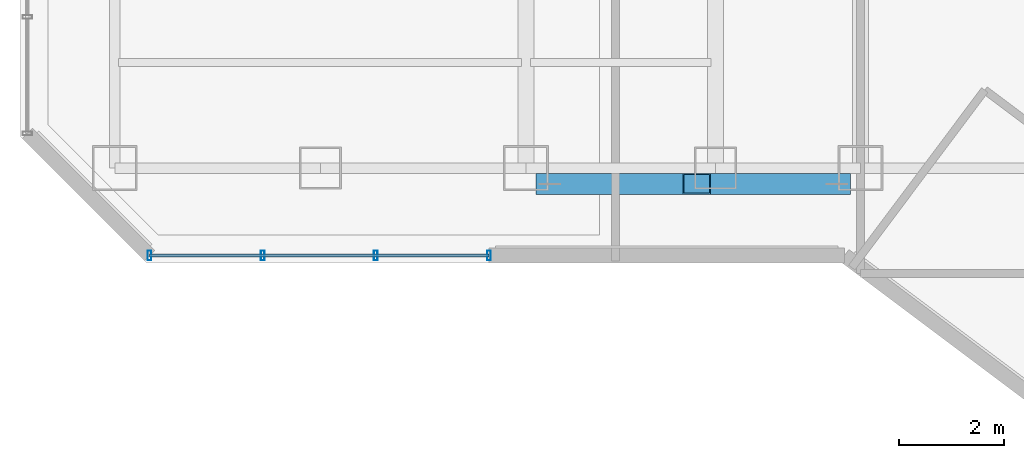
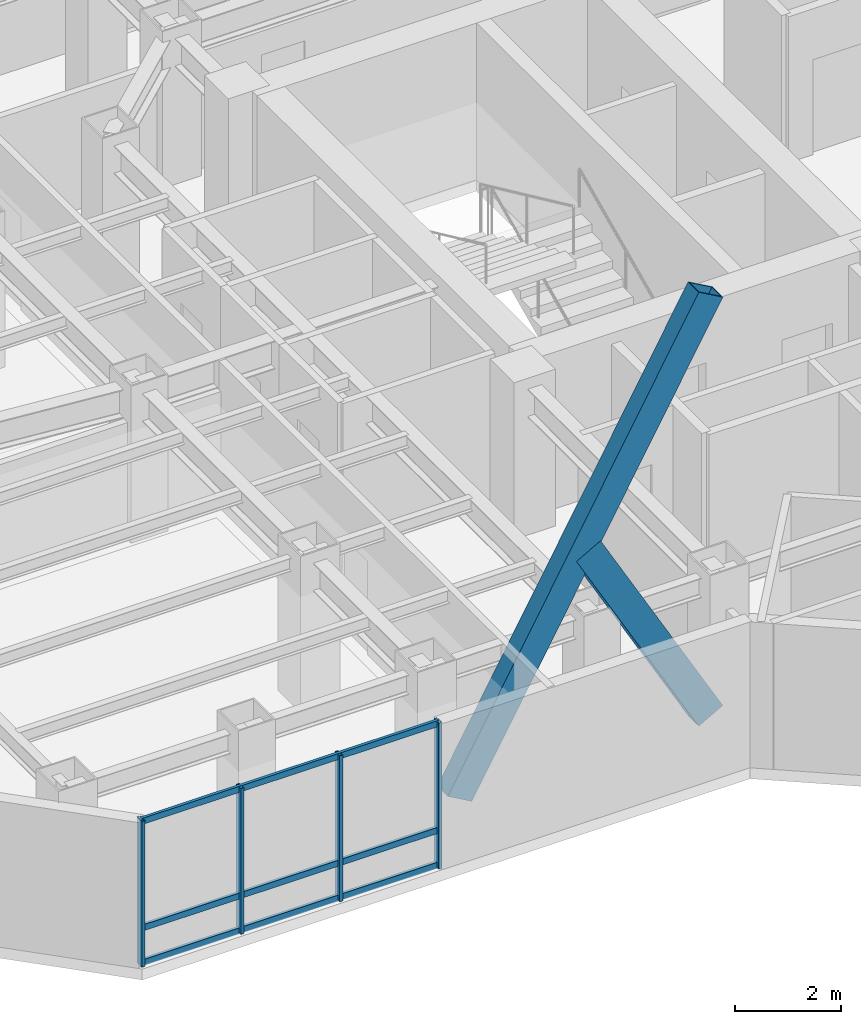
# One storey, part 2 of 27: 9 members, 1 element without a shape of its own.
"""IFC4 building model written with IfcOpenShell, lengths in metres."""

from ifc_helpers import new_model, si_unit, direction, frame, origin, origin_2d, place, context, subcontext, project, spatial, hollow_rectangle, extrude, material, layer, layer_set, material_profile, profile_set, type_object, element, aggregate, save


model = new_model("IFC4")

# Units and contexts
model_context = context("Model", 3, precision=1e-05, world=origin(), true_north=direction((0.0, 1.0)))
body_context = subcontext(model_context, "Body", "Model", "MODEL_VIEW")
ifc_project = project(units=[si_unit("LENGTHUNIT", "METRE"), si_unit("AREAUNIT", "SQUARE_METRE"), si_unit("VOLUMEUNIT", "CUBIC_METRE"), si_unit("PLANEANGLEUNIT", "RADIAN"), si_unit("MASSUNIT", "GRAM", prefix="KILO")], contexts=[model_context])

# Site, building, storey
site_placement = place(None, origin())
site = spatial("IfcSite", under=ifc_project, at=site_placement, CompositionType="ELEMENT")
building_placement = place(site_placement, origin())
building = spatial("IfcBuilding", under=site, at=building_placement, Name="Hatsunagi Terrace Concourse", CompositionType="ELEMENT")
storey_placement = place(building_placement, frame((0.0, 0.0, 156.449951171875)))
storey = spatial("IfcBuildingStorey", under=building, at=storey_placement, Name="L41", CompositionType="ELEMENT", Elevation=156.449951171875)

# Curtain wall, members
ifc_material_1 = material(Name="Anodised Aluminium Alloy 6063-T5", Category="aluminium")
ifc_layer = layer(ifc_material_1, 0.199951171875)
ifc_layer_set = layer_set([ifc_layer], Name="OfficeZone1_CW03")
curtain_wall_type = type_object("IfcCurtainWallType", Name="OfficeZone1_CW03", PredefinedType="NOTDEFINED", material=ifc_layer_set)
curtain_wall_placement = place(storey_placement, origin())
curtain_wall = element("IfcCurtainWall", 1, at=curtain_wall_placement, inside=storey, type_object=curtain_wall_type, Name="Unitised Curtain Wall CW-03 CW-L41-07", PredefinedType="NOTDEFINED")
ifc_material_2 = material(Name="Anodised Aluminium Alloy 6063-T5", Category="aluminium")
ifc_material_profile_1 = material_profile(ifc_material_2, hollow_rectangle(XDim=0.070068359375, YDim=0.179931640625, WallThickness=0.00390625, at=origin_2d()), Name="ALU-MUL-180x70x4")
ifc_profile_set_1 = profile_set([ifc_material_profile_1], Name="Anodised Aluminium Alloy 6063-T5")
member_type_1 = type_object("IfcMemberType", Name="CurtainWallMullion_180x70", PredefinedType="MULLION", material=ifc_profile_set_1)
member_1_placement = place(storey_placement, frame((18.5, 23.5400390625, 0.0), z_axis=(0.0, 0.0, 1.0), x_axis=(-1.0, 0.0, 0.0)))
member_1 = element("IfcMember", 2, at=member_1_placement, type_object=member_type_1, Name="Curtain Wall Mullion MUL-02", PredefinedType="MULLION", context=body_context, shape_type="SweptSolid", body=[
    extrude(hollow_rectangle(XDim=0.070068359375, YDim=0.179931640625, WallThickness=0.00390625, at=origin_2d()), origin(), (0.0, 0.0, 1.0), 3.35009765625),
])
member_2_placement = place(storey_placement, frame((16.35302734375, 23.5400390625, 0.0), z_axis=(0.0, 0.0, 1.0), x_axis=(-1.0, 0.0, 0.0)))
member_2 = element("IfcMember", 3, at=member_2_placement, type_object=member_type_1, Name="Curtain Wall Mullion MUL-02", PredefinedType="MULLION", context=body_context, shape_type="SweptSolid", body=[
    extrude(hollow_rectangle(XDim=0.070068359375, YDim=0.179931640625, WallThickness=0.00390625, at=origin_2d()), origin(), (0.0, 0.0, 1.0), 3.35009765625),
])
member_3_placement = place(storey_placement, frame((14.205078125, 23.5400390625, 0.0), z_axis=(0.0, 0.0, 1.0), x_axis=(-1.0, 0.0, 0.0)))
member_3 = element("IfcMember", 4, at=member_3_placement, type_object=member_type_1, Name="Curtain Wall Mullion MUL-02", PredefinedType="MULLION", context=body_context, shape_type="SweptSolid", body=[
    extrude(hollow_rectangle(XDim=0.070068359375, YDim=0.179931640625, WallThickness=0.00390625, at=origin_2d()), origin(), (0.0, 0.0, 1.0), 3.35009765625),
])
member_4_placement = place(storey_placement, frame((12.05810546875, 23.5400390625, 0.0), z_axis=(0.0, 0.0, 1.0), x_axis=(-1.0, 0.0, 0.0)))
member_4 = element("IfcMember", 5, at=member_4_placement, type_object=member_type_1, Name="Curtain Wall Mullion MUL-02", PredefinedType="MULLION", context=body_context, shape_type="SweptSolid", body=[
    extrude(hollow_rectangle(XDim=0.070068359375, YDim=0.179931640625, WallThickness=0.00390625, at=origin_2d()), origin(), (0.0, 0.0, 1.0), 3.35009765625),
])
ifc_material_3 = material(Name="Anodised Aluminium Alloy 6063-T5", Category="aluminium")
ifc_material_profile_2 = material_profile(ifc_material_3, hollow_rectangle(XDim=0.06494140625, YDim=0.139892578125, WallThickness=0.00390625, at=origin_2d()), Name="ALU-TRN-140x65x4")
ifc_profile_set_2 = profile_set([ifc_material_profile_2], Name="Anodised Aluminium Alloy 6063-T5")
member_type_2 = type_object("IfcMemberType", Name="CurtainWallTransom_140x65", PredefinedType="USERDEFINED", material=ifc_profile_set_2)
member_5_placement = place(storey_placement, frame((18.5, 23.5400390625, 0.050048828125), z_axis=(-1.0, 0.0, 0.0), x_axis=(0.0, -1.0, 0.0)))
member_5 = element("IfcMember", 6, at=member_5_placement, type_object=member_type_2, Name="Curtain Wall Transom TRN-02", ObjectType="TRANSOM", PredefinedType="USERDEFINED", context=body_context, shape_type="SweptSolid", body=[
    extrude(hollow_rectangle(XDim=0.06494140625, YDim=0.139892578125, WallThickness=0.00390625, at=origin_2d()), origin(), (0.0, 0.0, 1.0), 6.44189453125),
])
member_6_placement = place(storey_placement, frame((18.5, 23.5400390625, 0.85009765625), z_axis=(-1.0, 0.0, 0.0), x_axis=(0.0, -1.0, 0.0)))
member_6 = element("IfcMember", 7, at=member_6_placement, type_object=member_type_2, Name="Curtain Wall Transom TRN-02", ObjectType="TRANSOM", PredefinedType="USERDEFINED", context=body_context, shape_type="SweptSolid", body=[
    extrude(hollow_rectangle(XDim=0.06494140625, YDim=0.139892578125, WallThickness=0.00390625, at=origin_2d()), origin(), (0.0, 0.0, 1.0), 6.44189453125),
])
member_7_placement = place(storey_placement, frame((18.5, 23.5400390625, 3.300048828125), z_axis=(-1.0, 0.0, 0.0), x_axis=(0.0, -1.0, 0.0)))
member_7 = element("IfcMember", 8, at=member_7_placement, type_object=member_type_2, Name="Curtain Wall Transom TRN-02", ObjectType="TRANSOM", PredefinedType="USERDEFINED", context=body_context, shape_type="SweptSolid", body=[
    extrude(hollow_rectangle(XDim=0.06494140625, YDim=0.139892578125, WallThickness=0.00390625, at=origin_2d()), origin(), (0.0, 0.0, 1.0), 6.44189453125),
])
aggregate(curtain_wall, [member_1, member_2, member_3, member_4, member_5, member_6, member_7])

# Members
ifc_material_4 = material(Name="Steel SN490B", Category="steel")
ifc_material_profile_3 = material_profile(ifc_material_4, hollow_rectangle(XDim=0.39990234375, YDim=0.60009765625, WallThickness=0.02490234375, at=origin_2d()), Name="RHS-600x400x25")
ifc_profile_set_3 = profile_set([ifc_material_profile_3], Name="Steel SN490B")
member_type_3 = type_object("IfcMemberType", Name="PerimeterXBrace_Mid_RHS_600x400x25", PredefinedType="BRACE", material=ifc_profile_set_3)
member_8_placement = place(storey_placement, frame((19.64990234375, 24.89990234375, 0.43994140625), z_axis=(0.490995157924, 0.0, 0.871162301121), x_axis=(0.0, 1.0, 0.0)))
element("IfcMember", 9, at=member_8_placement, inside=storey, type_object=member_type_3, Name="Perimeter X-Brace XB-02 XB-L41-W1A", PredefinedType="BRACE", context=body_context, shape_type="SweptSolid", body=[
    extrude(hollow_rectangle(XDim=0.39990234375, YDim=0.60009765625, WallThickness=0.02490234375, at=origin_2d()), origin(), (0.0, 0.0, 1.0), 11.100341796875),
])
member_9_placement = place(storey_placement, frame((22.444091796875, 24.89990234375, 5.153076171875), z_axis=(0.490944566427, 0.0, -0.871190813023), x_axis=(0.0, 1.0, 0.0)))
element("IfcMember", 10, at=member_9_placement, inside=storey, type_object=member_type_3, Name="Perimeter X-Brace Split Lower XB-02 XB-L41-W1B2", PredefinedType="BRACE", context=body_context, shape_type="SweptSolid", body=[
    extrude(hollow_rectangle(XDim=0.39990234375, YDim=0.60009765625, WallThickness=0.02490234375, at=origin_2d()), origin(), (0.0, 0.0, 1.0), 5.409912109375),
])

save(model, "model.ifc")
